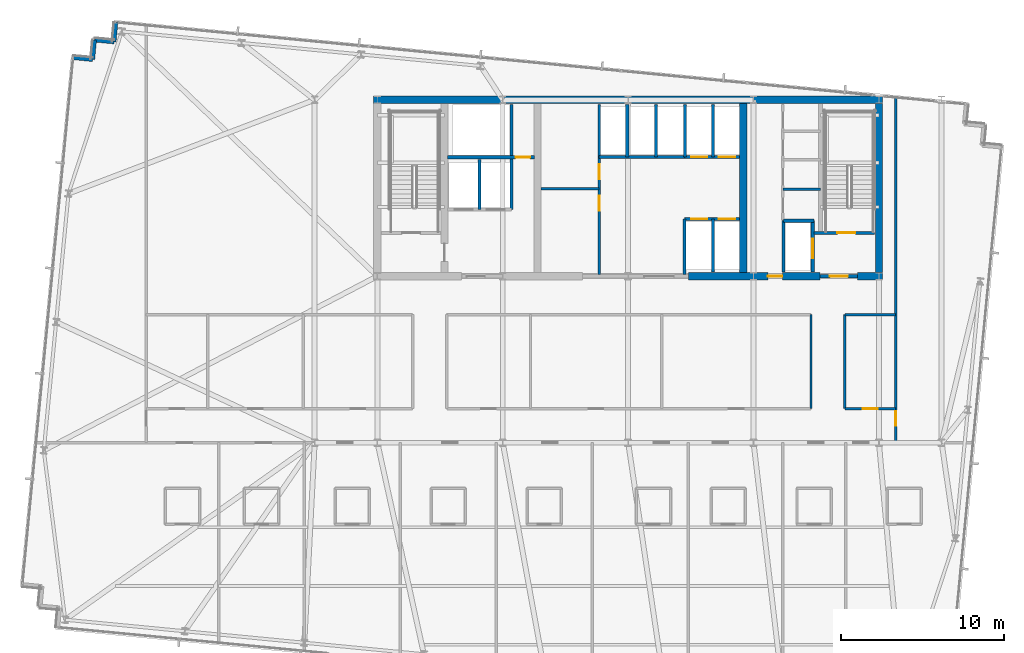
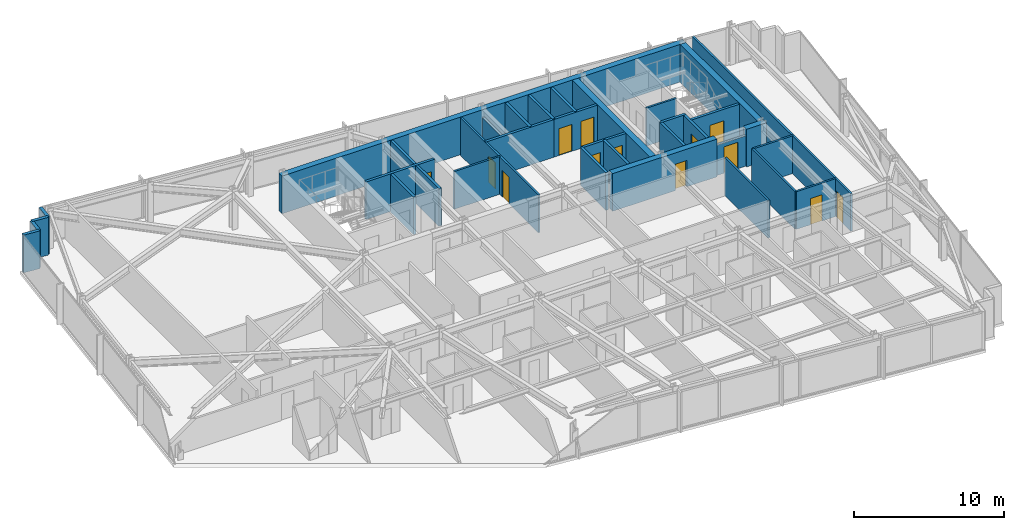
# One storey, part 31 of 37: 34 walls, 13 doors, 13 openings.
"""IFC4 building model written with IfcOpenShell, lengths in metres."""

from ifc_helpers import new_model, si_unit, direction, frame, frame_2d, origin, place, context, subcontext, project, spatial, rectangle, extrude, material, layer, layer_set, type_object, element, fill, save


model = new_model("IFC4")

# Units and contexts
model_context = context("Model", 3, precision=1e-05, world=origin(), true_north=direction((0.0, 1.0)))
body_context = subcontext(model_context, "Body", "Model", "MODEL_VIEW")
ifc_project = project(units=[si_unit("LENGTHUNIT", "METRE"), si_unit("AREAUNIT", "SQUARE_METRE"), si_unit("VOLUMEUNIT", "CUBIC_METRE"), si_unit("PLANEANGLEUNIT", "RADIAN"), si_unit("MASSUNIT", "GRAM", prefix="KILO")], contexts=[model_context])

# Site, building, storey
site_placement = place(None, origin())
site = spatial("IfcSite", under=ifc_project, at=site_placement, CompositionType="ELEMENT")
building_placement = place(site_placement, origin())
building = spatial("IfcBuilding", under=site, at=building_placement, Name="Yelkora Congress Tower", CompositionType="ELEMENT")
storey_placement = place(building_placement, frame((0.0, 0.0, 158.89990234375)))
storey = spatial("IfcBuildingStorey", under=building, at=storey_placement, Name="L43", CompositionType="ELEMENT", Elevation=158.89990234375)

# Wall
ifc_material_1 = material(Name="Concrete C60/75", Category="concrete")
ifc_layer_1 = layer(ifc_material_1, 0.449951171875)
ifc_layer_set_1 = layer_set([ifc_layer_1], Name="Concrete C60/75")
wall_type_1 = type_object("IfcWallType", Name="WALL-CORE-INT-450", PredefinedType="SHEAR", material=ifc_layer_set_1)
wall_1_placement = place(storey_placement, frame((22.81494140625, 46.199951171875, 0.0), z_axis=(0.0, 0.0, 1.0), x_axis=(1.0, 0.0, 0.0)))
element("IfcWall", 1, at=wall_1_placement, inside=storey, type_object=wall_type_1, Name="L43 Rear Core North Shear Wall", PredefinedType="SHEAR", context=body_context, shape_type="SweptSolid", body=[
    extrude(rectangle(XDim=31.170166015625, YDim=0.449951171875, at=frame_2d((15.5849609375, 0.0))), origin(), (0.0, 0.0, 1.0), 3.080078125),
])

# Wall, opening, door
wall_2_placement = place(storey_placement, frame((42.10009765625, 35.39990234375, 0.0), z_axis=(0.0, 0.0, 1.0), x_axis=(1.0, 0.0, 0.0)))
wall_2 = element("IfcWall", 2, at=wall_2_placement, inside=storey, type_object=wall_type_1, Name="L43 Rear Core South-East Shear Wall A", PredefinedType="SHEAR", context=body_context, shape_type="SweptSolid", body=[
    extrude(rectangle(XDim=8.0498046875, YDim=0.449951171875, at=frame_2d((4.02490234375, 0.0))), origin(), (0.0, 0.0, 1.0), 3.080078125),
])
opening_1_placement = place(wall_2_placement, frame((4.85009765625, 0.0, 0.0)))
opening_1 = element("IfcOpeningElement", 3, at=opening_1_placement, cuts=wall_2, Name="Opening DR-090F6", PredefinedType="OPENING", context=body_context, shape_type="SweptSolid", body=[
    extrude(rectangle(XDim=0.89990234375, YDim=2.14990234375, at=frame_2d((0.449951171875, 1.074951171875))), frame((0.0, 0.23486328125, 0.0), z_axis=(0.0, -1.0, 0.0), x_axis=(1.0, 0.0, 0.0)), (0.0, 0.0, 1.0), 0.469970703125),
])
ifc_material_2 = material(Name="Painted steel riser fire door leaf", Category="steel")
door_type_1 = type_object("IfcDoorType", Name="DOOR-FD60-900", OperationType="NOTDEFINED", PredefinedType="DOOR", material=ifc_material_2)
door_1_placement = place(opening_1_placement, origin())
door_1 = element("IfcDoor", 4, at=door_1_placement, inside=storey, type_object=door_type_1, Name="L43 Core Washroom Lobby Door", OperationType="SINGLE_SWING_RIGHT", OverallHeight=2.14990234375, OverallWidth=0.89990234375, PredefinedType="DOOR", context=body_context, shape_type="SweptSolid", body=[
    extrude(rectangle(XDim=0.89990234375, YDim=2.14990234375, at=frame_2d((0.449951171875, 1.074951171875))), frame((0.0, 0.02490234375, 0.0), z_axis=(0.0, -1.0, 0.0), x_axis=(1.0, 0.0, 0.0)), (0.0, 0.0, 1.0), 0.050048828125),
])
fill(opening_1, door_1)

# Walls
wall_3_placement = place(storey_placement, frame((52.449951171875, 35.39990234375, 0.0), z_axis=(0.0, 0.0, 1.0), x_axis=(1.0, 0.0, 0.0)))
element("IfcWall", 5, at=wall_3_placement, inside=storey, type_object=wall_type_1, Name="L43 Rear Core South-East Shear Wall B", PredefinedType="SHEAR", context=body_context, shape_type="SweptSolid", body=[
    extrude(rectangle(XDim=1.53515625, YDim=0.449951171875, at=frame_2d((0.767578125, 0.0))), origin(), (0.0, 0.0, 1.0), 3.080078125),
])
for number, where, z_axis, x_axis, name in (
    (6, (45.449951171875, 35.625, 0.0), (0.0, 0.0, 1.0), (0.0, 1.0, 0.0), "L43 Rear Core Cross Shear Wall C3"),
    (7, (53.760009765625, 35.625, 0.0), (0.0, 0.0, 1.0), (0.0, 1.0, 0.0), "L43 Rear Core Cross Shear Wall E"),
):
    element("IfcWall", number, at=place(storey_placement, frame(where, z_axis=z_axis, x_axis=x_axis)), inside=storey, type_object=wall_type_1, Name=name, PredefinedType="SHEAR", context=body_context, shape_type="SweptSolid", body=[
        extrude(rectangle(XDim=10.35009765625, YDim=0.449951171875, at=frame_2d((5.175048828125, 0.0))), origin(), (0.0, 0.0, 1.0), 3.080078125),
    ])
ifc_material_3 = material(Name="Concrete C40/50", Category="concrete")
ifc_layer_2 = layer(ifc_material_3, 0.239990234375)
ifc_layer_set_2 = layer_set([ifc_layer_2], Name="Concrete C40/50")
wall_type_2 = type_object("IfcWallType", Name="WALL-EXT-LIMESTONE-240", PredefinedType="SOLIDWALL", material=ifc_layer_set_2)
wall_4_placement = place(storey_placement, frame((4.41064453125, 48.778564453125, 0.0), z_axis=(0.0, 0.0, 1.0), x_axis=(0.995397091755, -0.095836473879, 0.0)))
element("IfcWall", 8, at=wall_4_placement, inside=storey, type_object=wall_type_2, Name="L43 Serrated Corner Limestone Pier 6", PredefinedType="SOLIDWALL", context=body_context, shape_type="SweptSolid", body=[
    extrude(rectangle(XDim=1.199951171875, YDim=0.239990234375, at=frame_2d((0.60009765625, 0.0))), origin(), (0.0, 0.0, 1.0), 3.080078125),
])
wall_5_placement = place(storey_placement, frame((5.60498046875, 48.66357421875, 0.0), z_axis=(0.0, 0.0, 1.0), x_axis=(0.096018626938, 0.995379537303, 0.0)))
element("IfcWall", 9, at=wall_5_placement, inside=storey, type_object=wall_type_2, Name="L43 Serrated Corner Limestone Pier 7", PredefinedType="SOLIDWALL", context=body_context, shape_type="SweptSolid", body=[
    extrude(rectangle(XDim=1.2001953125, YDim=0.239990234375, at=frame_2d((0.60009765625, 0.0))), origin(), (0.0, 0.0, 1.0), 3.080078125),
])
for number, where, z_axis, x_axis, name in (
    (10, (5.72021484375, 49.858154296875, 0.0), (0.0, 0.0, 1.0), (0.995397091755, -0.095836473879, 0.0), "L43 Serrated Corner Limestone Pier 8"),
    (11, (6.91455078125, 49.7431640625, 0.0), (0.0, 0.0, 1.0), (0.095836473879, 0.995397091755, 0.0), "L43 Serrated Corner Limestone Pier 9"),
):
    element("IfcWall", number, at=place(storey_placement, frame(where, z_axis=z_axis, x_axis=x_axis)), inside=storey, type_object=wall_type_2, Name=name, PredefinedType="SOLIDWALL", context=body_context, shape_type="SweptSolid", body=[
        extrude(rectangle(XDim=1.199951171875, YDim=0.239990234375, at=frame_2d((0.60009765625, 0.0))), origin(), (0.0, 0.0, 1.0), 3.080078125),
    ])
ifc_material_4 = material(Name="Acoustic metal-stud gypsum partition", Category="gypsum")
ifc_layer_3 = layer(ifc_material_4, 0.14990234375)
ifc_layer_set_3 = layer_set([ifc_layer_3], Name="Acoustic metal-stud gypsum partition")
wall_type_3 = type_object("IfcWallType", Name="WALL-INT-150-NR", PredefinedType="PARTITIONING", material=ifc_layer_set_3)
wall_6_placement = place(storey_placement, frame((47.8798828125, 40.719970703125, 0.0), z_axis=(0.0, 0.0, 1.0), x_axis=(1.0, 0.0, 0.0)))
element("IfcWall", 12, at=wall_6_placement, inside=storey, type_object=wall_type_3, Name="L43 Partition Wall 24", PredefinedType="PARTITIONING", context=body_context, shape_type="SweptSolid", body=[
    extrude(rectangle(XDim=2.300048828125, YDim=0.14990234375, at=frame_2d((1.14990234375, 0.0))), origin(), (0.0, 0.0, 1.0), 3.080078125),
])

# Wall, opening, door
wall_7_placement = place(storey_placement, frame((54.784912109375, 25.199951171875, 0.0), z_axis=(0.0, 0.0, 1.0), x_axis=(0.0, 1.0, 0.0)))
wall_7 = element("IfcWall", 13, at=wall_7_placement, inside=storey, type_object=wall_type_3, Name="L43 Partition Wall 74", PredefinedType="PARTITIONING", context=body_context, shape_type="SweptSolid", body=[
    extrude(rectangle(XDim=21.19970703125, YDim=0.14990234375, at=frame_2d((10.599853515625, 0.0))), origin(), (0.0, 0.0, 1.0), 3.080078125),
])
opening_2_placement = place(wall_7_placement, frame((1.030029296875, 0.0, 0.0)))
opening_2 = element("IfcOpeningElement", 14, at=opening_2_placement, cuts=wall_7, Name="Opening DR-090N", PredefinedType="OPENING", context=body_context, shape_type="SweptSolid", body=[
    extrude(rectangle(XDim=0.89990234375, YDim=2.14990234375, at=frame_2d((0.449951171875, 1.074951171875))), frame((0.0, 0.0849609375, 0.0), z_axis=(0.0, -1.0, 0.0), x_axis=(1.0, 0.0, 0.0)), (0.0, 0.0, 1.0), 0.169921875),
])
ifc_material_5 = material(Name="Moisture-resistant laminate door leaf", Category="wood")
door_type_2 = type_object("IfcDoorType", Name="DOOR-INT-900", OperationType="NOTDEFINED", PredefinedType="DOOR", material=ifc_material_5)
door_2_placement = place(opening_2_placement, origin())
door_2 = element("IfcDoor", 15, at=door_2_placement, inside=storey, type_object=door_type_2, Name="L43 E Wing Door", OperationType="SINGLE_SWING_LEFT", OverallHeight=2.14990234375, OverallWidth=0.89990234375, PredefinedType="DOOR", context=body_context, shape_type="SweptSolid", body=[
    extrude(rectangle(XDim=0.89990234375, YDim=2.14990234375, at=frame_2d((0.449951171875, 1.074951171875))), frame((0.0, 0.02490234375, 0.0), z_axis=(0.0, -1.0, 0.0), x_axis=(1.0, 0.0, 0.0)), (0.0, 0.0, 1.0), 0.050048828125),
])
fill(opening_2, door_2)

# Walls
for number, where, z_axis, x_axis, name in (
    (16, (49.60009765625, 27.280029296875, 0.0), (0.0, 0.0, 1.0), (0.0, 1.0, 0.0), "L43 Partition Wall 77"),
    (17, (51.679931640625, 27.280029296875, 0.0), (0.0, 0.0, 1.0), (0.0, 1.0, 0.0), "L43 Partition Wall 78"),
):
    element("IfcWall", number, at=place(storey_placement, frame(where, z_axis=z_axis, x_axis=x_axis)), inside=storey, type_object=wall_type_3, Name=name, PredefinedType="PARTITIONING", context=body_context, shape_type="SweptSolid", body=[
        extrude(rectangle(XDim=5.77001953125, YDim=0.14990234375, at=frame_2d((2.885009765625, 0.0))), origin(), (0.0, 0.0, 1.0), 3.080078125),
    ])
wall_8_placement = place(storey_placement, frame((51.679931640625, 33.050048828125, 0.0), z_axis=(0.0, 0.0, 1.0), x_axis=(1.0, 0.0, 0.0)))
element("IfcWall", 18, at=wall_8_placement, inside=storey, type_object=wall_type_3, Name="L43 Partition Wall 81", PredefinedType="PARTITIONING", context=body_context, shape_type="SweptSolid", body=[
    extrude(rectangle(XDim=3.10498046875, YDim=0.14990234375, at=frame_2d((1.552490234375, 0.0))), origin(), (0.0, 0.0, 1.0), 3.080078125),
])

# Wall, opening, door
wall_9_placement = place(storey_placement, frame((51.68994140625, 27.280029296875, 0.0), z_axis=(0.0, 0.0, 1.0), x_axis=(1.0, 0.0, 0.0)))
wall_9 = element("IfcWall", 19, at=wall_9_placement, inside=storey, type_object=wall_type_3, Name="L43 Partition Wall 88", PredefinedType="PARTITIONING", context=body_context, shape_type="SweptSolid", body=[
    extrude(rectangle(XDim=3.074951171875, YDim=0.14990234375, at=frame_2d((1.53759765625, 0.0))), origin(), (0.0, 0.0, 1.0), 3.080078125),
])
opening_3_placement = place(wall_9_placement, frame((1.08740234375, 0.0, 0.0)))
opening_3 = element("IfcOpeningElement", 20, at=opening_3_placement, cuts=wall_9, Name="Opening DR-090N", PredefinedType="OPENING", context=body_context, shape_type="SweptSolid", body=[
    extrude(rectangle(XDim=0.89990234375, YDim=2.14990234375, at=frame_2d((0.449951171875, 1.074951171875))), frame((0.0, 0.0849609375, 0.0), z_axis=(0.0, -1.0, 0.0), x_axis=(1.0, 0.0, 0.0)), (0.0, 0.0, 1.0), 0.169921875),
])
door_3_placement = place(opening_3_placement, origin())
door_3 = element("IfcDoor", 21, at=door_3_placement, inside=storey, type_object=door_type_2, Name="L43 Breakout Training Room Door", OperationType="SINGLE_SWING_RIGHT", OverallHeight=2.14990234375, OverallWidth=0.89990234375, PredefinedType="DOOR", context=body_context, shape_type="SweptSolid", body=[
    extrude(rectangle(XDim=0.89990234375, YDim=2.14990234375, at=frame_2d((0.449951171875, 1.074951171875))), frame((0.0, 0.02490234375, 0.0), z_axis=(0.0, -1.0, 0.0), x_axis=(1.0, 0.0, 0.0)), (0.0, 0.0, 1.0), 0.050048828125),
])
fill(opening_3, door_3)

# Wall
ifc_material_6 = material(Name="Twin-stud fire-rated gypsum partition", Category="gypsum")
ifc_layer_4 = layer(ifc_material_6, 0.14990234375)
ifc_layer_set_4 = layer_set([ifc_layer_4], Name="Twin-stud fire-rated gypsum partition")
wall_type_4 = type_object("IfcWallType", Name="WALL-INT-150-R60", PredefinedType="PARTITIONING", material=ifc_layer_set_4)
wall_10_placement = place(storey_placement, frame((33.050048828125, 40.75, 0.0), z_axis=(0.0, 0.0, 1.0), x_axis=(1.0, 0.0, 0.0)))
element("IfcWall", 22, at=wall_10_placement, inside=storey, type_object=wall_type_4, Name="L43 Partition Wall 11", PredefinedType="PARTITIONING", context=body_context, shape_type="SweptSolid", body=[
    extrude(rectangle(XDim=3.570068359375, YDim=0.14990234375, at=frame_2d((1.78515625, 0.0))), origin(), (0.0, 0.0, 1.0), 3.080078125),
])

# Wall, openings, doors
wall_11_placement = place(storey_placement, frame((36.6201171875, 35.5, 0.0), z_axis=(0.0, 0.0, 1.0), x_axis=(0.0, 1.0, 0.0)))
wall_11 = element("IfcWall", 23, at=wall_11_placement, inside=storey, type_object=wall_type_4, Name="L43 Partition Wall 12", PredefinedType="PARTITIONING", context=body_context, shape_type="SweptSolid", body=[
    extrude(rectangle(XDim=10.419921875, YDim=0.14990234375, at=frame_2d((5.2099609375, 0.0))), origin(), (0.0, 0.0, 1.0), 3.080078125),
])
opening_4_placement = place(wall_11_placement, frame((3.919921875, 0.0, 0.0)))
opening_4 = element("IfcOpeningElement", 24, at=opening_4_placement, cuts=wall_11, Name="Opening DR-090F6", PredefinedType="OPENING", context=body_context, shape_type="SweptSolid", body=[
    extrude(rectangle(XDim=0.89990234375, YDim=2.14990234375, at=frame_2d((0.449951171875, 1.074951171875))), frame((0.0, 0.0849609375, 0.0), z_axis=(0.0, -1.0, 0.0), x_axis=(1.0, 0.0, 0.0)), (0.0, 0.0, 1.0), 0.169921875),
])
opening_5_placement = place(wall_11_placement, frame((5.85009765625, 0.0, 0.0)))
opening_5 = element("IfcOpeningElement", 25, at=opening_5_placement, cuts=wall_11, Name="Opening DR-090F6", PredefinedType="OPENING", context=body_context, shape_type="SweptSolid", body=[
    extrude(rectangle(XDim=0.89990234375, YDim=2.14990234375, at=frame_2d((0.449951171875, 1.074951171875))), frame((0.0, 0.0849609375, 0.0), z_axis=(0.0, -1.0, 0.0), x_axis=(1.0, 0.0, 0.0)), (0.0, 0.0, 1.0), 0.169921875),
])
door_4_placement = place(opening_4_placement, origin())
door_4 = element("IfcDoor", 26, at=door_4_placement, inside=storey, type_object=door_type_1, Name="L43 Telecom Store Door", OperationType="SINGLE_SWING_LEFT", OverallHeight=2.14990234375, OverallWidth=0.89990234375, PredefinedType="DOOR", context=body_context, shape_type="SweptSolid", body=[
    extrude(rectangle(XDim=0.89990234375, YDim=2.14990234375, at=frame_2d((0.449951171875, 1.074951171875))), frame((0.0, 0.02490234375, 0.0), z_axis=(0.0, -1.0, 0.0), x_axis=(1.0, 0.0, 0.0)), (0.0, 0.0, 1.0), 0.050048828125),
])
fill(opening_4, door_4)
door_5_placement = place(opening_5_placement, origin())
door_5 = element("IfcDoor", 27, at=door_5_placement, inside=storey, type_object=door_type_1, Name="L43 Archive Store Door", OperationType="SINGLE_SWING_RIGHT", OverallHeight=2.14990234375, OverallWidth=0.89990234375, PredefinedType="DOOR", context=body_context, shape_type="SweptSolid", body=[
    extrude(rectangle(XDim=0.89990234375, YDim=2.14990234375, at=frame_2d((0.449951171875, 1.074951171875))), frame((0.0, 0.02490234375, 0.0), z_axis=(0.0, -1.0, 0.0), x_axis=(1.0, 0.0, 0.0)), (0.0, 0.0, 1.0), 0.050048828125),
])
fill(opening_5, door_5)

# Walls
ifc_material_7 = material(Name="Autoclaved aerated concrete blockwork", Category="masonry")
ifc_layer_5 = layer(ifc_material_7, 0.199951171875)
ifc_layer_set_5 = layer_set([ifc_layer_5], Name="Autoclaved aerated concrete blockwork")
wall_type_5 = type_object("IfcWallType", Name="WALL-INT-200-R120", PredefinedType="PARTITIONING", material=ifc_layer_set_5)
wall_12_placement = place(storey_placement, frame((29.300048828125, 39.47998046875, 0.0), z_axis=(0.0, 0.0, 1.0), x_axis=(0.0, 1.0, 0.0)))
element("IfcWall", 28, at=wall_12_placement, inside=storey, type_object=wall_type_5, Name="L43 Partition Wall 4", PredefinedType="PARTITIONING", context=body_context, shape_type="SweptSolid", body=[
    extrude(rectangle(XDim=3.070068359375, YDim=0.199951171875, at=frame_2d((1.53515625, 0.0))), origin(), (0.0, 0.0, 1.0), 3.080078125),
])
wall_13_placement = place(storey_placement, frame((31.260009765625, 39.47998046875, 0.0), z_axis=(0.0, 0.0, 1.0), x_axis=(0.0, 1.0, 0.0)))
element("IfcWall", 29, at=wall_13_placement, inside=storey, type_object=wall_type_5, Name="L43 Partition Wall 5", PredefinedType="PARTITIONING", context=body_context, shape_type="SweptSolid", body=[
    extrude(rectangle(XDim=6.43994140625, YDim=0.199951171875, at=frame_2d((3.219970703125, 0.0))), origin(), (0.0, 0.0, 1.0), 3.080078125),
])

# Wall, opening, door
wall_14_placement = place(storey_placement, frame((27.320068359375, 42.679931640625, 0.0), z_axis=(0.0, 0.0, 1.0), x_axis=(1.0, 0.0, 0.0)))
wall_14 = element("IfcWall", 30, at=wall_14_placement, inside=storey, type_object=wall_type_5, Name="L43 Smoke Riser South Wall", PredefinedType="PARTITIONING", context=body_context, shape_type="SweptSolid", body=[
    extrude(rectangle(XDim=5.329833984375, YDim=0.199951171875, at=frame_2d((2.6650390625, 0.0))), origin(), (0.0, 0.0, 1.0), 3.080078125),
])
opening_6_placement = place(wall_14_placement, frame((4.179931640625, 0.0, 0.0)))
opening_6 = element("IfcOpeningElement", 31, at=opening_6_placement, cuts=wall_14, Name="Opening DR-090F6", PredefinedType="OPENING", context=body_context, shape_type="SweptSolid", body=[
    extrude(rectangle(XDim=0.89990234375, YDim=2.14990234375, at=frame_2d((0.449951171875, 1.074951171875))), frame((0.0, 0.10986328125, 0.0), z_axis=(0.0, -1.0, 0.0), x_axis=(1.0, 0.0, 0.0)), (0.0, 0.0, 1.0), 0.219970703125),
])
door_6_placement = place(opening_6_placement, origin())
door_6 = element("IfcDoor", 32, at=door_6_placement, inside=storey, type_object=door_type_1, Name="L43 Riser Access Door", OperationType="SINGLE_SWING_LEFT", OverallHeight=2.14990234375, OverallWidth=0.89990234375, PredefinedType="DOOR", context=body_context, shape_type="SweptSolid", body=[
    extrude(rectangle(XDim=0.89990234375, YDim=2.14990234375, at=frame_2d((0.449951171875, 1.074951171875))), frame((0.0, 0.02490234375, 0.0), z_axis=(0.0, -1.0, 0.0), x_axis=(1.0, 0.0, 0.0)), (0.0, 0.0, 1.0), 0.050048828125),
])
fill(opening_6, door_6)

# Walls
wall_15_placement = place(storey_placement, frame((36.60009765625, 42.699951171875, 0.0), z_axis=(0.0, 0.0, 1.0), x_axis=(1.0, 0.0, 0.0)))
element("IfcWall", 33, at=wall_15_placement, inside=storey, type_object=wall_type_5, Name="L43 Partition Wall 8", PredefinedType="PARTITIONING", context=body_context, shape_type="SweptSolid", body=[
    extrude(rectangle(XDim=5.25, YDim=0.199951171875, at=frame_2d((2.625, 0.0))), origin(), (0.0, 0.0, 1.0), 3.080078125),
])
wall_16_placement = place(storey_placement, frame((38.35009765625, 42.699951171875, 0.0), z_axis=(0.0, 0.0, 1.0), x_axis=(0.0, 1.0, 0.0)))
element("IfcWall", 34, at=wall_16_placement, inside=storey, type_object=wall_type_5, Name="L43 Partition Wall 9", PredefinedType="PARTITIONING", context=body_context, shape_type="SweptSolid", body=[
    extrude(rectangle(XDim=3.219970703125, YDim=0.199951171875, at=frame_2d((1.60986328125, 0.0))), origin(), (0.0, 0.0, 1.0), 2.47509765625),
])
wall_17_placement = place(storey_placement, frame((40.10009765625, 42.699951171875, 0.0), z_axis=(0.0, 0.0, 1.0), x_axis=(0.0, 1.0, 0.0)))
element("IfcWall", 35, at=wall_17_placement, inside=storey, type_object=wall_type_5, Name="L43 Partition Wall 10", PredefinedType="PARTITIONING", context=body_context, shape_type="SweptSolid", body=[
    extrude(rectangle(XDim=3.219970703125, YDim=0.199951171875, at=frame_2d((1.60986328125, 0.0))), origin(), (0.0, 0.0, 1.0), 3.080078125),
])

# Wall, openings, doors
wall_18_placement = place(storey_placement, frame((41.85009765625, 38.89990234375, 0.0), z_axis=(0.0, 0.0, 1.0), x_axis=(1.0, 0.0, 0.0)))
wall_18 = element("IfcWall", 36, at=wall_18_placement, inside=storey, type_object=wall_type_5, Name="L43 Partition Wall 13", PredefinedType="PARTITIONING", context=body_context, shape_type="SweptSolid", body=[
    extrude(rectangle(XDim=3.369873046875, YDim=0.199951171875, at=frame_2d((1.68505859375, 0.0))), origin(), (0.0, 0.0, 1.0), 3.080078125),
])
opening_7_placement = place(wall_18_placement, frame((0.39990234375, 0.0, 0.0)))
opening_7 = element("IfcOpeningElement", 37, at=opening_7_placement, cuts=wall_18, Name="Opening LD-PS10", PredefinedType="OPENING", context=body_context, shape_type="SweptSolid", body=[
    extrude(rectangle(XDim=1.0, YDim=2.199951171875, at=frame_2d((0.5, 1.10009765625))), frame((0.0, 0.10986328125, 0.0), z_axis=(0.0, -1.0, 0.0), x_axis=(1.0, 0.0, 0.0)), (0.0, 0.0, 1.0), 0.219970703125),
])
opening_8_placement = place(wall_18_placement, frame((2.10009765625, 0.0, 0.0)))
opening_8 = element("IfcOpeningElement", 38, at=opening_8_placement, cuts=wall_18, Name="Opening LD-PS10", PredefinedType="OPENING", context=body_context, shape_type="SweptSolid", body=[
    extrude(rectangle(XDim=1.0, YDim=2.199951171875, at=frame_2d((0.5, 1.10009765625))), frame((0.0, 0.10986328125, 0.0), z_axis=(0.0, -1.0, 0.0), x_axis=(1.0, 0.0, 0.0)), (0.0, 0.0, 1.0), 0.219970703125),
])
ifc_material_8 = material(Name="Champagne stainless steel landing door", Category="steel")
door_type_3 = type_object("IfcDoorType", Name="DOOR-LIFT-PAS-1000", OperationType="DOUBLE_DOOR_SLIDING", PredefinedType="DOOR", material=ifc_material_8)
door_7_placement = place(opening_7_placement, origin())
door_7 = element("IfcDoor", 39, at=door_7_placement, inside=storey, type_object=door_type_3, Name="Lift Landing Door LF-P5 L43", OperationType="DOUBLE_DOOR_SLIDING", OverallHeight=2.199951171875, OverallWidth=1.0, PredefinedType="DOOR", context=body_context, shape_type="SweptSolid", body=[
    extrude(rectangle(XDim=1.0, YDim=2.199951171875, at=frame_2d((0.5, 1.10009765625))), frame((0.0, 0.02490234375, 0.0), z_axis=(0.0, -1.0, 0.0), x_axis=(1.0, 0.0, 0.0)), (0.0, 0.0, 1.0), 0.050048828125),
])
fill(opening_7, door_7)
door_8_placement = place(opening_8_placement, origin())
door_8 = element("IfcDoor", 40, at=door_8_placement, inside=storey, type_object=door_type_3, Name="Lift Landing Door LF-P6 L43", OperationType="DOUBLE_DOOR_SLIDING", OverallHeight=2.199951171875, OverallWidth=1.0, PredefinedType="DOOR", context=body_context, shape_type="SweptSolid", body=[
    extrude(rectangle(XDim=1.0, YDim=2.199951171875, at=frame_2d((0.5, 1.10009765625))), frame((0.0, 0.02490234375, 0.0), z_axis=(0.0, -1.0, 0.0), x_axis=(1.0, 0.0, 0.0)), (0.0, 0.0, 1.0), 0.050048828125),
])
fill(opening_8, door_8)

wall_19_placement = place(storey_placement, frame((41.85009765625, 42.699951171875, 0.0), z_axis=(0.0, 0.0, 1.0), x_axis=(1.0, 0.0, 0.0)))
wall_19 = element("IfcWall", 41, at=wall_19_placement, inside=storey, type_object=wall_type_5, Name="L43 Partition Wall 14", PredefinedType="PARTITIONING", context=body_context, shape_type="SweptSolid", body=[
    extrude(rectangle(XDim=3.369873046875, YDim=0.199951171875, at=frame_2d((1.68505859375, 0.0))), origin(), (0.0, 0.0, 1.0), 3.080078125),
])
opening_9_placement = place(wall_19_placement, frame((0.39990234375, 0.0, 0.0)))
opening_9 = element("IfcOpeningElement", 42, at=opening_9_placement, cuts=wall_19, Name="Opening LD-PS10", PredefinedType="OPENING", context=body_context, shape_type="SweptSolid", body=[
    extrude(rectangle(XDim=1.0, YDim=2.199951171875, at=frame_2d((0.5, 1.10009765625))), frame((0.0, 0.10986328125, 0.0), z_axis=(0.0, -1.0, 0.0), x_axis=(1.0, 0.0, 0.0)), (0.0, 0.0, 1.0), 0.219970703125),
])
opening_10_placement = place(wall_19_placement, frame((2.10009765625, 0.0, 0.0)))
opening_10 = element("IfcOpeningElement", 43, at=opening_10_placement, cuts=wall_19, Name="Opening LD-PS10", PredefinedType="OPENING", context=body_context, shape_type="SweptSolid", body=[
    extrude(rectangle(XDim=1.0, YDim=2.199951171875, at=frame_2d((0.5, 1.10009765625))), frame((0.0, 0.10986328125, 0.0), z_axis=(0.0, -1.0, 0.0), x_axis=(1.0, 0.0, 0.0)), (0.0, 0.0, 1.0), 0.219970703125),
])
door_9_placement = place(opening_9_placement, origin())
door_9 = element("IfcDoor", 44, at=door_9_placement, inside=storey, type_object=door_type_3, Name="Lift Landing Door LF-P7 L43", OperationType="DOUBLE_DOOR_SLIDING", OverallHeight=2.199951171875, OverallWidth=1.0, PredefinedType="DOOR", context=body_context, shape_type="SweptSolid", body=[
    extrude(rectangle(XDim=1.0, YDim=2.199951171875, at=frame_2d((0.5, 1.10009765625))), frame((0.0, 0.02490234375, 0.0), z_axis=(0.0, -1.0, 0.0), x_axis=(1.0, 0.0, 0.0)), (0.0, 0.0, 1.0), 0.050048828125),
])
fill(opening_9, door_9)
door_10_placement = place(opening_10_placement, origin())
door_10 = element("IfcDoor", 45, at=door_10_placement, inside=storey, type_object=door_type_3, Name="Lift Landing Door LF-P8 L43", OperationType="DOUBLE_DOOR_SLIDING", OverallHeight=2.199951171875, OverallWidth=1.0, PredefinedType="DOOR", context=body_context, shape_type="SweptSolid", body=[
    extrude(rectangle(XDim=1.0, YDim=2.199951171875, at=frame_2d((0.5, 1.10009765625))), frame((0.0, 0.02490234375, 0.0), z_axis=(0.0, -1.0, 0.0), x_axis=(1.0, 0.0, 0.0)), (0.0, 0.0, 1.0), 0.050048828125),
])
fill(opening_10, door_10)

# Walls
wall_20_placement = place(storey_placement, frame((43.60009765625, 35.64990234375, 0.0), z_axis=(0.0, 0.0, 1.0), x_axis=(0.0, 1.0, 0.0)))
element("IfcWall", 46, at=wall_20_placement, inside=storey, type_object=wall_type_5, Name="L43 Partition Wall 15", PredefinedType="PARTITIONING", context=body_context, shape_type="SweptSolid", body=[
    extrude(rectangle(XDim=3.25, YDim=0.199951171875, at=frame_2d((1.625, 0.0))), origin(), (0.0, 0.0, 1.0), 3.080078125),
])
wall_21_placement = place(storey_placement, frame((43.60009765625, 42.699951171875, 0.0), z_axis=(0.0, 0.0, 1.0), x_axis=(0.0, 1.0, 0.0)))
element("IfcWall", 47, at=wall_21_placement, inside=storey, type_object=wall_type_5, Name="L43 Partition Wall 16", PredefinedType="PARTITIONING", context=body_context, shape_type="SweptSolid", body=[
    extrude(rectangle(XDim=3.219970703125, YDim=0.199951171875, at=frame_2d((1.60986328125, 0.0))), origin(), (0.0, 0.0, 1.0), 3.080078125),
])
wall_22_placement = place(storey_placement, frame((41.85009765625, 35.5, 0.0), z_axis=(0.0, 0.0, 1.0), x_axis=(0.0, 1.0, 0.0)))
element("IfcWall", 48, at=wall_22_placement, inside=storey, type_object=wall_type_5, Name="L43 Partition Wall 17", PredefinedType="PARTITIONING", context=body_context, shape_type="SweptSolid", body=[
    extrude(rectangle(XDim=3.39990234375, YDim=0.199951171875, at=frame_2d((1.699951171875, 0.0))), origin(), (0.0, 0.0, 1.0), 3.080078125),
])
wall_23_placement = place(storey_placement, frame((41.8798828125, 42.699951171875, 0.0), z_axis=(0.0, 0.0, 1.0), x_axis=(0.0, 1.0, 0.0)))
element("IfcWall", 49, at=wall_23_placement, inside=storey, type_object=wall_type_5, Name="L43 Partition Wall 18", PredefinedType="PARTITIONING", context=body_context, shape_type="SweptSolid", body=[
    extrude(rectangle(XDim=3.219970703125, YDim=0.199951171875, at=frame_2d((1.60986328125, 0.0))), origin(), (0.0, 0.0, 1.0), 3.080078125),
])

# Wall, opening, door
wall_24_placement = place(storey_placement, frame((49.780029296875, 38.050048828125, 0.0), z_axis=(0.0, 0.0, 1.0), x_axis=(1.0, 0.0, 0.0)))
wall_24 = element("IfcWall", 50, at=wall_24_placement, inside=storey, type_object=wall_type_5, Name="L43 Stair ST-02 Enclosure Wall", PredefinedType="PARTITIONING", context=body_context, shape_type="SweptSolid", body=[
    extrude(rectangle(XDim=3.719970703125, YDim=0.199951171875, at=frame_2d((1.85986328125, 0.0))), origin(), (0.0, 0.0, 1.0), 3.080078125),
])
opening_11_placement = place(wall_24_placement, frame((1.436279296875, 0.0, 0.0)))
opening_11 = element("IfcOpeningElement", 51, at=opening_11_placement, cuts=wall_24, Name="Opening DR-110F9", PredefinedType="OPENING", context=body_context, shape_type="SweptSolid", body=[
    extrude(rectangle(XDim=1.10009765625, YDim=2.14990234375, at=frame_2d((0.550048828125, 1.074951171875))), frame((0.0, 0.10986328125, 0.0), z_axis=(0.0, -1.0, 0.0), x_axis=(1.0, 0.0, 0.0)), (0.0, 0.0, 1.0), 0.219970703125),
])
ifc_material_9 = material(Name="Galvanised steel fire door leaf", Category="steel")
door_type_4 = type_object("IfcDoorType", Name="DOOR-FD90-1100", OperationType="NOTDEFINED", PredefinedType="DOOR", material=ifc_material_9)
door_11_placement = place(opening_11_placement, origin())
door_11 = element("IfcDoor", 52, at=door_11_placement, inside=storey, type_object=door_type_4, Name="L43 Stair ST-02 Entry Door", OperationType="SINGLE_SWING_LEFT", OverallHeight=2.14990234375, OverallWidth=1.10009765625, PredefinedType="DOOR", context=body_context, shape_type="SweptSolid", body=[
    extrude(rectangle(XDim=1.10009765625, YDim=2.14990234375, at=frame_2d((0.550048828125, 1.074951171875))), frame((0.0, 0.02490234375, 0.0), z_axis=(0.0, -1.0, 0.0), x_axis=(1.0, 0.0, 0.0)), (0.0, 0.0, 1.0), 0.050048828125),
])
fill(opening_11, door_11)

wall_25_placement = place(storey_placement, frame((50.14990234375, 35.39990234375, 0.0), z_axis=(0.0, 0.0, 1.0), x_axis=(1.0, 0.0, 0.0)))
wall_25 = element("IfcWall", 53, at=wall_25_placement, inside=storey, type_object=wall_type_5, Name="L43 Partition Wall 20", PredefinedType="PARTITIONING", context=body_context, shape_type="SweptSolid", body=[
    extrude(rectangle(XDim=2.300048828125, YDim=0.199951171875, at=frame_2d((1.14990234375, 0.0))), origin(), (0.0, 0.0, 1.0), 2.47509765625),
])
opening_12_placement = place(wall_25_placement, frame((0.60009765625, 0.0, 0.0)))
opening_12 = element("IfcOpeningElement", 54, at=opening_12_placement, cuts=wall_25, Name="Opening DR-110F9", PredefinedType="OPENING", context=body_context, shape_type="SweptSolid", body=[
    extrude(rectangle(XDim=1.10009765625, YDim=2.14990234375, at=frame_2d((0.550048828125, 1.074951171875))), frame((0.0, 0.10986328125, 0.0), z_axis=(0.0, -1.0, 0.0), x_axis=(1.0, 0.0, 0.0)), (0.0, 0.0, 1.0), 0.219970703125),
])
door_12_placement = place(opening_12_placement, origin())
door_12 = element("IfcDoor", 55, at=door_12_placement, inside=storey, type_object=door_type_4, Name="L43 East Stair Lobby Door", OperationType="SINGLE_SWING_RIGHT", OverallHeight=2.14990234375, OverallWidth=1.10009765625, PredefinedType="DOOR", context=body_context, shape_type="SweptSolid", body=[
    extrude(rectangle(XDim=1.10009765625, YDim=2.14990234375, at=frame_2d((0.550048828125, 1.074951171875))), frame((0.0, 0.02490234375, 0.0), z_axis=(0.0, -1.0, 0.0), x_axis=(1.0, 0.0, 0.0)), (0.0, 0.0, 1.0), 0.050048828125),
])
fill(opening_12, door_12)

wall_26_placement = place(storey_placement, frame((49.699951171875, 35.64990234375, 0.0), z_axis=(0.0, 0.0, 1.0), x_axis=(0.0, 1.0, 0.0)))
wall_26 = element("IfcWall", 56, at=wall_26_placement, inside=storey, type_object=wall_type_5, Name="L43 Partition Wall 21", PredefinedType="PARTITIONING", context=body_context, shape_type="SweptSolid", body=[
    extrude(rectangle(XDim=3.150146484375, YDim=0.199951171875, at=frame_2d((1.5751953125, 0.0))), origin(), (0.0, 0.0, 1.0), 3.080078125),
])
opening_13_placement = place(wall_26_placement, frame((0.85009765625, 0.0, 0.0)))
opening_13 = element("IfcOpeningElement", 57, at=opening_13_placement, cuts=wall_26, Name="Opening LD-SV12", PredefinedType="OPENING", context=body_context, shape_type="SweptSolid", body=[
    extrude(rectangle(XDim=1.199951171875, YDim=2.199951171875, at=frame_2d((0.60009765625, 1.10009765625))), frame((0.0, 0.10986328125, 0.0), z_axis=(0.0, -1.0, 0.0), x_axis=(1.0, 0.0, 0.0)), (0.0, 0.0, 1.0), 0.219970703125),
])
ifc_material_10 = material(Name="Heavy-duty stainless steel landing door", Category="steel")
door_type_5 = type_object("IfcDoorType", Name="DOOR-LIFT-SRV-1200", OperationType="DOUBLE_DOOR_SLIDING", PredefinedType="DOOR", material=ifc_material_10)
door_13_placement = place(opening_13_placement, origin())
door_13 = element("IfcDoor", 58, at=door_13_placement, inside=storey, type_object=door_type_5, Name="Service Lift Landing Door LF-SV1 L43", OperationType="DOUBLE_DOOR_SLIDING", OverallHeight=2.199951171875, OverallWidth=1.199951171875, PredefinedType="DOOR", context=body_context, shape_type="SweptSolid", body=[
    extrude(rectangle(XDim=1.199951171875, YDim=2.199951171875, at=frame_2d((0.60009765625, 1.10009765625))), frame((0.0, 0.02490234375, 0.0), z_axis=(0.0, -1.0, 0.0), x_axis=(1.0, 0.0, 0.0)), (0.0, 0.0, 1.0), 0.050048828125),
])
fill(opening_13, door_13)

# Walls
wall_27_placement = place(storey_placement, frame((47.919921875, 35.64990234375, 0.0), z_axis=(0.0, 0.0, 1.0), x_axis=(0.0, 1.0, 0.0)))
element("IfcWall", 59, at=wall_27_placement, inside=storey, type_object=wall_type_5, Name="L43 Partition Wall 22", PredefinedType="PARTITIONING", context=body_context, shape_type="SweptSolid", body=[
    extrude(rectangle(XDim=3.150146484375, YDim=0.199951171875, at=frame_2d((1.5751953125, 0.0))), origin(), (0.0, 0.0, 1.0), 3.080078125),
])
wall_28_placement = place(storey_placement, frame((47.919921875, 38.800048828125, 0.0), z_axis=(0.0, 0.0, 1.0), x_axis=(1.0, 0.0, 0.0)))
element("IfcWall", 60, at=wall_28_placement, inside=storey, type_object=wall_type_5, Name="L43 Partition Wall 23", PredefinedType="PARTITIONING", context=body_context, shape_type="SweptSolid", body=[
    extrude(rectangle(XDim=1.860107421875, YDim=0.199951171875, at=frame_2d((0.93017578125, 0.0))), origin(), (0.0, 0.0, 1.0), 3.080078125),
])

save(model, "model.ifc")
